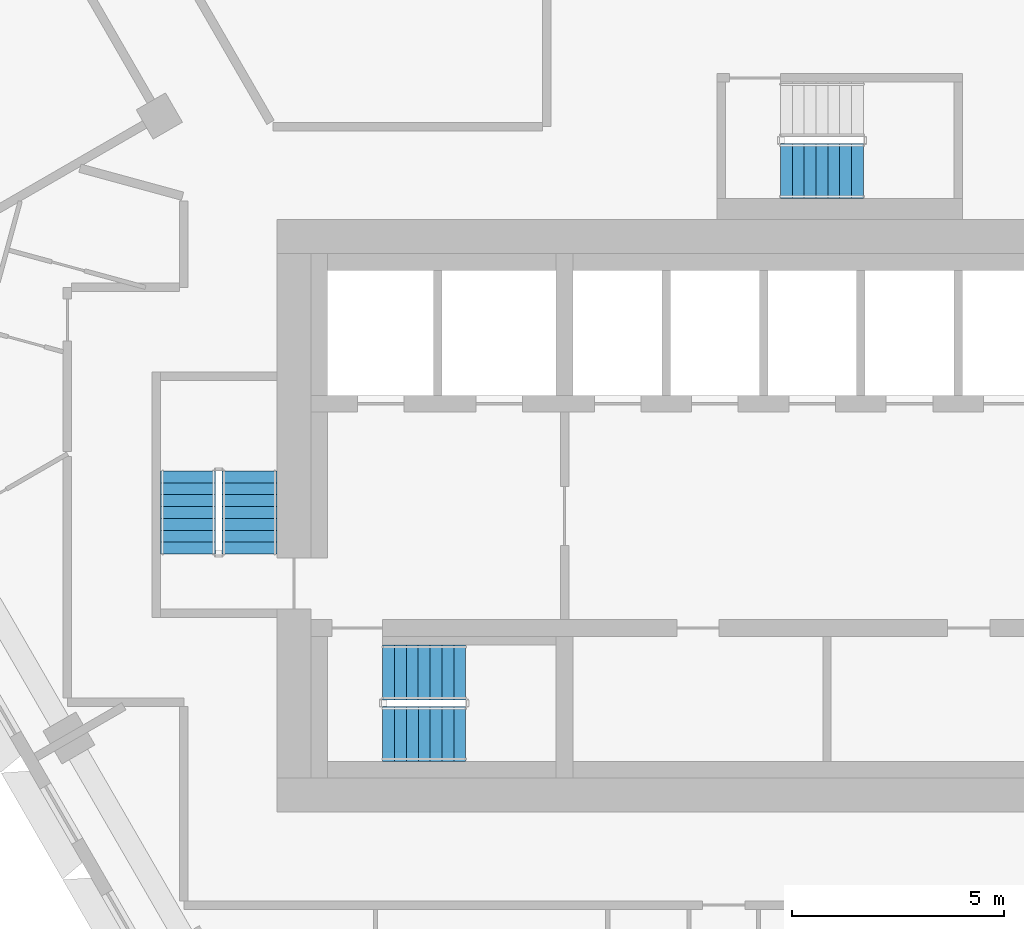
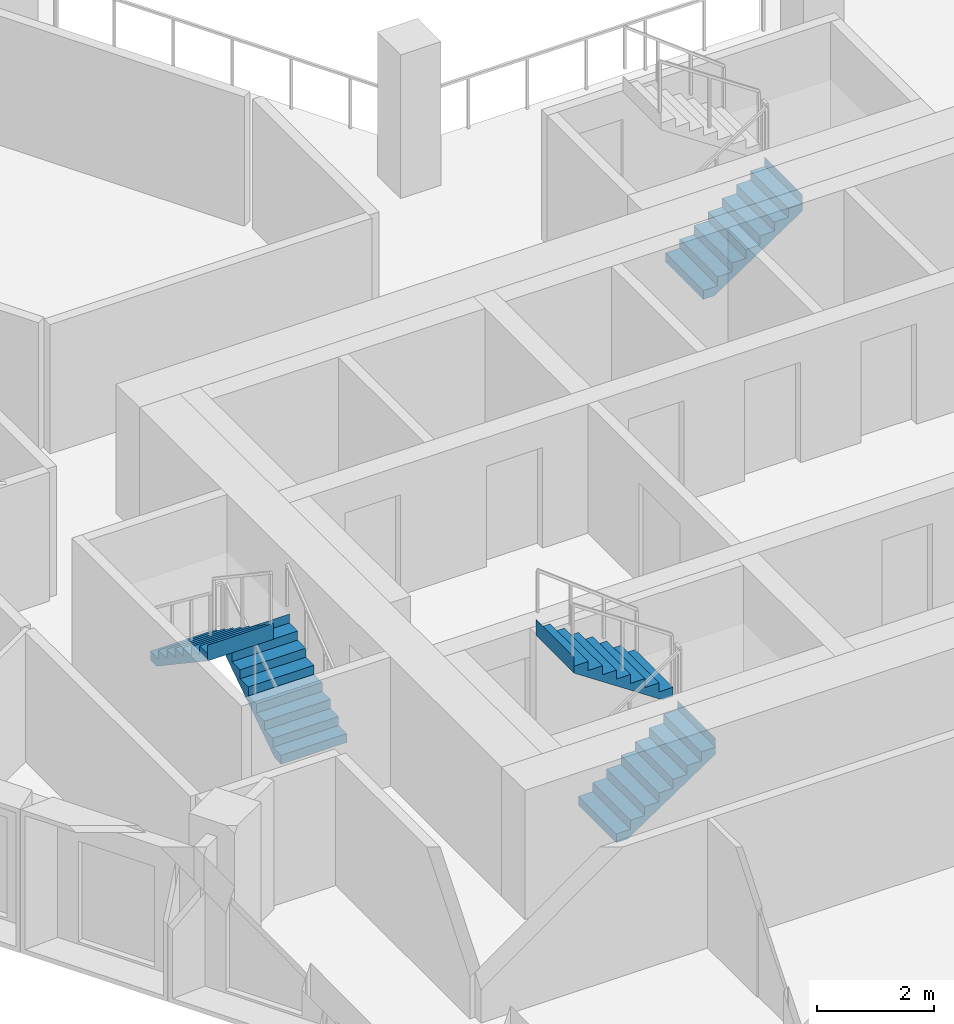
# One storey, part 12 of 17: 5 stair flights, 3 elements without a shape of their own.
"""IFC4 building model written with IfcOpenShell, lengths in metres."""

from ifc_helpers import new_model, si_unit, direction, frame, origin, place, context, subcontext, project, spatial, triangles, material, type_object, element, aggregate, save


model = new_model("IFC4")

# Units and contexts
model_context = context("Model", 3, precision=1e-05, world=origin(), true_north=direction((0.0, 1.0)))
body_context = subcontext(model_context, "Body", "Model", "MODEL_VIEW")
ifc_project = project(units=[si_unit("LENGTHUNIT", "METRE"), si_unit("AREAUNIT", "SQUARE_METRE"), si_unit("VOLUMEUNIT", "CUBIC_METRE"), si_unit("PLANEANGLEUNIT", "RADIAN"), si_unit("MASSUNIT", "GRAM", prefix="KILO")], contexts=[model_context])

# Site, building, storey
site_placement = place(None, origin())
site = spatial("IfcSite", under=ifc_project, at=site_placement, CompositionType="ELEMENT")
building_placement = place(site_placement, origin())
building = spatial("IfcBuilding", under=site, at=building_placement, Name="Beryl Residences", CompositionType="ELEMENT")
storey_placement = place(building_placement, frame((0.0, 0.0, 120.60009765625)))
storey = spatial("IfcBuildingStorey", under=building, at=storey_placement, Name="L36", CompositionType="ELEMENT", Elevation=120.60009765625)

# Stair, stair flights
ifc_material_1 = material(Name="Concrete C40/50", Category="concrete")
stair_type = type_object("IfcStairType", Name="ST1 protected exit stair, half-turn, 1300 mm flights", PredefinedType="HALF_TURN_STAIR", material=ifc_material_1)
stair_1_placement = place(storey_placement, origin())
stair_1 = element("IfcStair", 1, at=stair_1_placement, inside=storey, type_object=stair_type, Name="L36 PROTECTED EXIT STAIR ST-1", PredefinedType="HALF_TURN_STAIR")
ifc_material_2 = material(Name="Concrete C40/50", Category="concrete")
stair_flight_type = type_object("IfcStairFlightType", Name="SF1 stair flight 1300 mm", PredefinedType="STRAIGHT", material=ifc_material_2)
stair_flight_1_placement = place(storey_placement, frame((-10.800048828125, -17.14990234375, 0.0), z_axis=(0.0, 0.0, 1.0), x_axis=(1.0, 0.0, 0.0)))
stair_flight_1 = element("IfcStairFlight", 2, at=stair_flight_1_placement, type_object=stair_flight_type, Name="ST-1 flight 1", NumberOfRisers=8, NumberOfTreads=7, PredefinedType="STRAIGHT", RiserHeight=0.1875, TreadLength=0.28, context=body_context, shape_type="Tessellation", body=[
    triangles([(0.0, -0.64990234375, 0.0), (0.0, -0.324951171875, 0.0), (0.0, 0.0, 0.0), (0.0, 0.324951171875, 0.0), (0.0, 0.64990234375, 0.0), (0.0, -0.64990234375, 0.1875), (0.0, -0.324951171875, 0.1875), (0.0, 0.0, 0.1875), (0.0, 0.324951171875, 0.1875), (0.0, 0.64990234375, 0.1875), (0.280029296875, -0.64990234375, 0.1875), (0.280029296875, -0.324951171875, 0.1875), (0.280029296875, 0.0, 0.1875), (0.280029296875, 0.324951171875, 0.1875), (0.280029296875, 0.64990234375, 0.1875), (0.280029296875, -0.64990234375, 0.375), (0.280029296875, -0.324951171875, 0.375), (0.280029296875, 0.0, 0.375), (0.280029296875, 0.324951171875, 0.375), (0.280029296875, 0.64990234375, 0.375), (0.56005859375, -0.64990234375, 0.375), (0.56005859375, -0.324951171875, 0.375), (0.56005859375, 0.0, 0.375), (0.56005859375, 0.324951171875, 0.375), (0.56005859375, 0.64990234375, 0.375), (0.56005859375, -0.64990234375, 0.5625), (0.56005859375, -0.324951171875, 0.5625), (0.56005859375, 0.0, 0.5625), (0.56005859375, 0.324951171875, 0.5625), (0.56005859375, 0.64990234375, 0.5625), (0.840087890625, -0.64990234375, 0.5625), (0.840087890625, -0.324951171875, 0.5625), (0.840087890625, 0.0, 0.5625), (0.840087890625, 0.324951171875, 0.5625), (0.840087890625, 0.64990234375, 0.5625), (0.840087890625, -0.64990234375, 0.75), (0.840087890625, -0.324951171875, 0.75), (0.840087890625, 0.0, 0.75), (0.840087890625, 0.324951171875, 0.75), (0.840087890625, 0.64990234375, 0.75), (1.1201171875, -0.64990234375, 0.75), (1.1201171875, -0.324951171875, 0.75), (1.1201171875, 0.0, 0.75), (1.1201171875, 0.324951171875, 0.75), (1.1201171875, 0.64990234375, 0.75), (1.1201171875, -0.64990234375, 0.9375), (1.1201171875, -0.324951171875, 0.9375), (1.1201171875, 0.0, 0.9375), (1.1201171875, 0.324951171875, 0.9375), (1.1201171875, 0.64990234375, 0.9375), (1.39990234375, -0.64990234375, 0.9375), (1.39990234375, -0.324951171875, 0.9375), (1.39990234375, 0.0, 0.9375), (1.39990234375, 0.324951171875, 0.9375), (1.39990234375, 0.64990234375, 0.9375), (1.39990234375, -0.64990234375, 1.125), (1.39990234375, -0.324951171875, 1.125), (1.39990234375, 0.0, 1.125), (1.39990234375, 0.324951171875, 1.125), (1.39990234375, 0.64990234375, 1.125), (1.679931640625, -0.64990234375, 1.125), (1.679931640625, -0.324951171875, 1.125), (1.679931640625, 0.0, 1.125), (1.679931640625, 0.324951171875, 1.125), (1.679931640625, 0.64990234375, 1.125), (1.679931640625, -0.64990234375, 1.3125), (1.679931640625, -0.324951171875, 1.3125), (1.679931640625, 0.0, 1.3125), (1.679931640625, 0.324951171875, 1.3125), (1.679931640625, 0.64990234375, 1.3125), (1.9599609375, -0.64990234375, 1.3125), (1.9599609375, -0.324951171875, 1.3125), (1.9599609375, 0.0, 1.3125), (1.9599609375, 0.324951171875, 1.3125), (1.9599609375, 0.64990234375, 1.3125), (1.9599609375, -0.64990234375, 1.5), (1.9599609375, -0.324951171875, 1.5), (1.9599609375, 0.0, 1.5), (1.9599609375, 0.324951171875, 1.5), (1.9599609375, 0.64990234375, 1.5), (1.9609375, -0.64990234375, 1.5), (1.9609375, -0.324951171875, 1.5), (1.9609375, 0.0, 1.5), (1.9609375, 0.324951171875, 1.5), (1.9609375, 0.64990234375, 1.5), (1.9609375, -0.64990234375, 1.16796875), (1.9609375, -0.324951171875, 1.16796875), (1.9609375, 0.0, 1.16796875), (1.9609375, 0.324951171875, 1.16796875), (1.9609375, 0.64990234375, 1.16796875), (0.216796875, -0.64990234375, 0.0), (0.216796875, -0.324951171875, 0.0), (0.216796875, 0.0, 0.0), (0.216796875, 0.324951171875, 0.0), (0.216796875, 0.64990234375, 0.0)], [[1, 6, 7], [1, 7, 2], [2, 7, 8], [2, 8, 3], [3, 8, 9], [3, 9, 4], [4, 9, 10], [4, 10, 5], [6, 11, 12], [6, 12, 7], [7, 12, 13], [7, 13, 8], [8, 13, 14], [8, 14, 9], [9, 14, 15], [9, 15, 10], [11, 16, 17], [11, 17, 12], [12, 17, 18], [12, 18, 13], [13, 18, 19], [13, 19, 14], [14, 19, 20], [14, 20, 15], [16, 21, 22], [16, 22, 17], [17, 22, 23], [17, 23, 18], [18, 23, 24], [18, 24, 19], [19, 24, 25], [19, 25, 20], [21, 26, 27], [21, 27, 22], [22, 27, 28], [22, 28, 23], [23, 28, 29], [23, 29, 24], [24, 29, 30], [24, 30, 25], [26, 31, 32], [26, 32, 27], [27, 32, 33], [27, 33, 28], [28, 33, 34], [28, 34, 29], [29, 34, 35], [29, 35, 30], [31, 36, 37], [31, 37, 32], [32, 37, 38], [32, 38, 33], [33, 38, 39], [33, 39, 34], [34, 39, 40], [34, 40, 35], [36, 41, 42], [36, 42, 37], [37, 42, 43], [37, 43, 38], [38, 43, 44], [38, 44, 39], [39, 44, 45], [39, 45, 40], [41, 46, 47], [41, 47, 42], [42, 47, 48], [42, 48, 43], [43, 48, 49], [43, 49, 44], [44, 49, 50], [44, 50, 45], [46, 51, 52], [46, 52, 47], [47, 52, 53], [47, 53, 48], [48, 53, 54], [48, 54, 49], [49, 54, 55], [49, 55, 50], [51, 56, 57], [51, 57, 52], [52, 57, 58], [52, 58, 53], [53, 58, 59], [53, 59, 54], [54, 59, 60], [54, 60, 55], [56, 61, 62], [56, 62, 57], [57, 62, 63], [57, 63, 58], [58, 63, 64], [58, 64, 59], [59, 64, 65], [59, 65, 60], [61, 66, 67], [61, 67, 62], [62, 67, 68], [62, 68, 63], [63, 68, 69], [63, 69, 64], [64, 69, 70], [64, 70, 65], [66, 71, 72], [66, 72, 67], [67, 72, 73], [67, 73, 68], [68, 73, 74], [68, 74, 69], [69, 74, 75], [69, 75, 70], [71, 76, 77], [71, 77, 72], [72, 77, 78], [72, 78, 73], [73, 78, 79], [73, 79, 74], [74, 79, 80], [74, 80, 75], [76, 81, 82], [76, 82, 77], [77, 82, 83], [77, 83, 78], [78, 83, 84], [78, 84, 79], [79, 84, 85], [79, 85, 80], [81, 86, 87], [81, 87, 82], [82, 87, 88], [82, 88, 83], [83, 88, 89], [83, 89, 84], [84, 89, 90], [84, 90, 85], [86, 91, 92], [86, 92, 87], [87, 92, 93], [87, 93, 88], [88, 93, 94], [88, 94, 89], [89, 94, 95], [89, 95, 90], [91, 1, 2], [91, 2, 92], [92, 2, 3], [92, 3, 93], [93, 3, 4], [93, 4, 94], [94, 4, 5], [94, 5, 95], [1, 91, 86], [5, 90, 95], [86, 81, 76], [90, 80, 85], [86, 76, 71], [90, 75, 80], [86, 71, 66], [90, 70, 75], [86, 66, 61], [90, 65, 70], [61, 56, 51], [65, 55, 60], [86, 61, 51], [90, 55, 65], [51, 46, 41], [55, 45, 50], [86, 51, 41], [90, 45, 55], [41, 36, 31], [45, 35, 40], [86, 41, 31], [90, 35, 45], [31, 26, 21], [35, 25, 30], [86, 31, 21], [90, 25, 35], [21, 16, 11], [25, 15, 20], [86, 21, 11], [90, 15, 25], [1, 86, 11], [5, 15, 90], [11, 6, 1], [15, 5, 10]], closed=True),
])
stair_flight_2_placement = place(storey_placement, frame((-8.840087890625, -15.699951171875, 1.5), z_axis=(0.0, 0.0, 1.0), x_axis=(-1.0, 0.0, 0.0)))
stair_flight_2 = element("IfcStairFlight", 3, at=stair_flight_2_placement, type_object=stair_flight_type, Name="ST-1 flight 2", NumberOfRisers=8, NumberOfTreads=7, PredefinedType="STRAIGHT", RiserHeight=0.1875, TreadLength=0.28, context=body_context, shape_type="Tessellation", body=[
    triangles([(0.0, -0.64990234375, 0.0), (0.0, -0.324951171875, 0.0), (0.0, 0.0, 0.0), (0.0, 0.324951171875, 0.0), (0.0, 0.64990234375, 0.0), (0.0, -0.64990234375, 0.1875), (0.0, -0.324951171875, 0.1875), (0.0, 0.0, 0.1875), (0.0, 0.324951171875, 0.1875), (0.0, 0.64990234375, 0.1875), (0.280029296875, -0.64990234375, 0.1875), (0.280029296875, -0.324951171875, 0.1875), (0.280029296875, 0.0, 0.1875), (0.280029296875, 0.324951171875, 0.1875), (0.280029296875, 0.64990234375, 0.1875), (0.280029296875, -0.64990234375, 0.375), (0.280029296875, -0.324951171875, 0.375), (0.280029296875, 0.0, 0.375), (0.280029296875, 0.324951171875, 0.375), (0.280029296875, 0.64990234375, 0.375), (0.56005859375, -0.64990234375, 0.375), (0.56005859375, -0.324951171875, 0.375), (0.56005859375, 0.0, 0.375), (0.56005859375, 0.324951171875, 0.375), (0.56005859375, 0.64990234375, 0.375), (0.56005859375, -0.64990234375, 0.5625), (0.56005859375, -0.324951171875, 0.5625), (0.56005859375, 0.0, 0.5625), (0.56005859375, 0.324951171875, 0.5625), (0.56005859375, 0.64990234375, 0.5625), (0.840087890625, -0.64990234375, 0.5625), (0.840087890625, -0.324951171875, 0.5625), (0.840087890625, 0.0, 0.5625), (0.840087890625, 0.324951171875, 0.5625), (0.840087890625, 0.64990234375, 0.5625), (0.840087890625, -0.64990234375, 0.75), (0.840087890625, -0.324951171875, 0.75), (0.840087890625, 0.0, 0.75), (0.840087890625, 0.324951171875, 0.75), (0.840087890625, 0.64990234375, 0.75), (1.1201171875, -0.64990234375, 0.75), (1.1201171875, -0.324951171875, 0.75), (1.1201171875, 0.0, 0.75), (1.1201171875, 0.324951171875, 0.75), (1.1201171875, 0.64990234375, 0.75), (1.1201171875, -0.64990234375, 0.9375), (1.1201171875, -0.324951171875, 0.9375), (1.1201171875, 0.0, 0.9375), (1.1201171875, 0.324951171875, 0.9375), (1.1201171875, 0.64990234375, 0.9375), (1.39990234375, -0.64990234375, 0.9375), (1.39990234375, -0.324951171875, 0.9375), (1.39990234375, 0.0, 0.9375), (1.39990234375, 0.324951171875, 0.9375), (1.39990234375, 0.64990234375, 0.9375), (1.39990234375, -0.64990234375, 1.125), (1.39990234375, -0.324951171875, 1.125), (1.39990234375, 0.0, 1.125), (1.39990234375, 0.324951171875, 1.125), (1.39990234375, 0.64990234375, 1.125), (1.679931640625, -0.64990234375, 1.125), (1.679931640625, -0.324951171875, 1.125), (1.679931640625, 0.0, 1.125), (1.679931640625, 0.324951171875, 1.125), (1.679931640625, 0.64990234375, 1.125), (1.679931640625, -0.64990234375, 1.3125), (1.679931640625, -0.324951171875, 1.3125), (1.679931640625, 0.0, 1.3125), (1.679931640625, 0.324951171875, 1.3125), (1.679931640625, 0.64990234375, 1.3125), (1.9599609375, -0.64990234375, 1.3125), (1.9599609375, -0.324951171875, 1.3125), (1.9599609375, 0.0, 1.3125), (1.9599609375, 0.324951171875, 1.3125), (1.9599609375, 0.64990234375, 1.3125), (1.9599609375, -0.64990234375, 1.5), (1.9599609375, -0.324951171875, 1.5), (1.9599609375, 0.0, 1.5), (1.9599609375, 0.324951171875, 1.5), (1.9599609375, 0.64990234375, 1.5), (1.9609375, -0.64990234375, 1.5), (1.9609375, -0.324951171875, 1.5), (1.9609375, 0.0, 1.5), (1.9609375, 0.324951171875, 1.5), (1.9609375, 0.64990234375, 1.5), (1.9609375, -0.64990234375, 1.16796875), (1.9609375, -0.324951171875, 1.16796875), (1.9609375, 0.0, 1.16796875), (1.9609375, 0.324951171875, 1.16796875), (1.9609375, 0.64990234375, 1.16796875), (0.216796875, -0.64990234375, 0.0), (0.216796875, -0.324951171875, 0.0), (0.216796875, 0.0, 0.0), (0.216796875, 0.324951171875, 0.0), (0.216796875, 0.64990234375, 0.0)], [[1, 6, 7], [1, 7, 2], [2, 7, 8], [2, 8, 3], [3, 8, 9], [3, 9, 4], [4, 9, 10], [4, 10, 5], [6, 11, 12], [6, 12, 7], [7, 12, 13], [7, 13, 8], [8, 13, 14], [8, 14, 9], [9, 14, 15], [9, 15, 10], [11, 16, 17], [11, 17, 12], [12, 17, 18], [12, 18, 13], [13, 18, 19], [13, 19, 14], [14, 19, 20], [14, 20, 15], [16, 21, 22], [16, 22, 17], [17, 22, 23], [17, 23, 18], [18, 23, 24], [18, 24, 19], [19, 24, 25], [19, 25, 20], [21, 26, 27], [21, 27, 22], [22, 27, 28], [22, 28, 23], [23, 28, 29], [23, 29, 24], [24, 29, 30], [24, 30, 25], [26, 31, 32], [26, 32, 27], [27, 32, 33], [27, 33, 28], [28, 33, 34], [28, 34, 29], [29, 34, 35], [29, 35, 30], [31, 36, 37], [31, 37, 32], [32, 37, 38], [32, 38, 33], [33, 38, 39], [33, 39, 34], [34, 39, 40], [34, 40, 35], [36, 41, 42], [36, 42, 37], [37, 42, 43], [37, 43, 38], [38, 43, 44], [38, 44, 39], [39, 44, 45], [39, 45, 40], [41, 46, 47], [41, 47, 42], [42, 47, 48], [42, 48, 43], [43, 48, 49], [43, 49, 44], [44, 49, 50], [44, 50, 45], [46, 51, 52], [46, 52, 47], [47, 52, 53], [47, 53, 48], [48, 53, 54], [48, 54, 49], [49, 54, 55], [49, 55, 50], [51, 56, 57], [51, 57, 52], [52, 57, 58], [52, 58, 53], [53, 58, 59], [53, 59, 54], [54, 59, 60], [54, 60, 55], [56, 61, 62], [56, 62, 57], [57, 62, 63], [57, 63, 58], [58, 63, 64], [58, 64, 59], [59, 64, 65], [59, 65, 60], [61, 66, 67], [61, 67, 62], [62, 67, 68], [62, 68, 63], [63, 68, 69], [63, 69, 64], [64, 69, 70], [64, 70, 65], [66, 71, 72], [66, 72, 67], [67, 72, 73], [67, 73, 68], [68, 73, 74], [68, 74, 69], [69, 74, 75], [69, 75, 70], [71, 76, 77], [71, 77, 72], [72, 77, 78], [72, 78, 73], [73, 78, 79], [73, 79, 74], [74, 79, 80], [74, 80, 75], [76, 81, 82], [76, 82, 77], [77, 82, 83], [77, 83, 78], [78, 83, 84], [78, 84, 79], [79, 84, 85], [79, 85, 80], [81, 86, 87], [81, 87, 82], [82, 87, 88], [82, 88, 83], [83, 88, 89], [83, 89, 84], [84, 89, 90], [84, 90, 85], [86, 91, 92], [86, 92, 87], [87, 92, 93], [87, 93, 88], [88, 93, 94], [88, 94, 89], [89, 94, 95], [89, 95, 90], [91, 1, 2], [91, 2, 92], [92, 2, 3], [92, 3, 93], [93, 3, 4], [93, 4, 94], [94, 4, 5], [94, 5, 95], [1, 91, 86], [5, 90, 95], [86, 81, 76], [90, 80, 85], [86, 76, 71], [90, 75, 80], [86, 71, 66], [90, 70, 75], [86, 66, 61], [90, 65, 70], [61, 56, 51], [65, 55, 60], [86, 61, 51], [90, 55, 65], [51, 46, 41], [55, 45, 50], [86, 51, 41], [90, 45, 55], [41, 36, 31], [45, 35, 40], [86, 41, 31], [90, 35, 45], [31, 26, 21], [35, 25, 30], [86, 31, 21], [90, 25, 35], [21, 16, 11], [25, 15, 20], [86, 21, 11], [90, 15, 25], [1, 86, 11], [5, 15, 90], [11, 6, 1], [15, 5, 10]], closed=True),
])
aggregate(stair_1, [stair_flight_1, stair_flight_2])

stair_2_placement = place(storey_placement, origin())
stair_2 = element("IfcStair", 4, at=stair_2_placement, inside=storey, type_object=stair_type, Name="L36 PROTECTED EXIT STAIR ST-2", PredefinedType="HALF_TURN_STAIR")
stair_flight_3_placement = place(storey_placement, frame((-13.949951171875, -12.89990234375, 0.0), z_axis=(0.0, 0.0, 1.0), x_axis=(0.0, 1.0, 0.0)))
stair_flight_3 = element("IfcStairFlight", 5, at=stair_flight_3_placement, type_object=stair_flight_type, Name="ST-2 flight 1", NumberOfRisers=8, NumberOfTreads=7, PredefinedType="STRAIGHT", RiserHeight=0.1875, TreadLength=0.28, context=body_context, shape_type="Tessellation", body=[
    triangles([(0.0, -0.64990234375, 0.0), (0.0, -0.324951171875, 0.0), (0.0, 0.0, 0.0), (0.0, 0.324951171875, 0.0), (0.0, 0.64990234375, 0.0), (0.0, -0.64990234375, 0.1875), (0.0, -0.324951171875, 0.1875), (0.0, 0.0, 0.1875), (0.0, 0.324951171875, 0.1875), (0.0, 0.64990234375, 0.1875), (0.280029296875, -0.64990234375, 0.1875), (0.280029296875, -0.324951171875, 0.1875), (0.280029296875, 0.0, 0.1875), (0.280029296875, 0.324951171875, 0.1875), (0.280029296875, 0.64990234375, 0.1875), (0.280029296875, -0.64990234375, 0.375), (0.280029296875, -0.324951171875, 0.375), (0.280029296875, 0.0, 0.375), (0.280029296875, 0.324951171875, 0.375), (0.280029296875, 0.64990234375, 0.375), (0.56005859375, -0.64990234375, 0.375), (0.56005859375, -0.324951171875, 0.375), (0.56005859375, 0.0, 0.375), (0.56005859375, 0.324951171875, 0.375), (0.56005859375, 0.64990234375, 0.375), (0.56005859375, -0.64990234375, 0.5625), (0.56005859375, -0.324951171875, 0.5625), (0.56005859375, 0.0, 0.5625), (0.56005859375, 0.324951171875, 0.5625), (0.56005859375, 0.64990234375, 0.5625), (0.840087890625, -0.64990234375, 0.5625), (0.840087890625, -0.324951171875, 0.5625), (0.840087890625, 0.0, 0.5625), (0.840087890625, 0.324951171875, 0.5625), (0.840087890625, 0.64990234375, 0.5625), (0.840087890625, -0.64990234375, 0.75), (0.840087890625, -0.324951171875, 0.75), (0.840087890625, 0.0, 0.75), (0.840087890625, 0.324951171875, 0.75), (0.840087890625, 0.64990234375, 0.75), (1.1201171875, -0.64990234375, 0.75), (1.1201171875, -0.324951171875, 0.75), (1.1201171875, 0.0, 0.75), (1.1201171875, 0.324951171875, 0.75), (1.1201171875, 0.64990234375, 0.75), (1.1201171875, -0.64990234375, 0.9375), (1.1201171875, -0.324951171875, 0.9375), (1.1201171875, 0.0, 0.9375), (1.1201171875, 0.324951171875, 0.9375), (1.1201171875, 0.64990234375, 0.9375), (1.39990234375, -0.64990234375, 0.9375), (1.39990234375, -0.324951171875, 0.9375), (1.39990234375, 0.0, 0.9375), (1.39990234375, 0.324951171875, 0.9375), (1.39990234375, 0.64990234375, 0.9375), (1.39990234375, -0.64990234375, 1.125), (1.39990234375, -0.324951171875, 1.125), (1.39990234375, 0.0, 1.125), (1.39990234375, 0.324951171875, 1.125), (1.39990234375, 0.64990234375, 1.125), (1.679931640625, -0.64990234375, 1.125), (1.679931640625, -0.324951171875, 1.125), (1.679931640625, 0.0, 1.125), (1.679931640625, 0.324951171875, 1.125), (1.679931640625, 0.64990234375, 1.125), (1.679931640625, -0.64990234375, 1.3125), (1.679931640625, -0.324951171875, 1.3125), (1.679931640625, 0.0, 1.3125), (1.679931640625, 0.324951171875, 1.3125), (1.679931640625, 0.64990234375, 1.3125), (1.9599609375, -0.64990234375, 1.3125), (1.9599609375, -0.324951171875, 1.3125), (1.9599609375, 0.0, 1.3125), (1.9599609375, 0.324951171875, 1.3125), (1.9599609375, 0.64990234375, 1.3125), (1.9599609375, -0.64990234375, 1.5), (1.9599609375, -0.324951171875, 1.5), (1.9599609375, 0.0, 1.5), (1.9599609375, 0.324951171875, 1.5), (1.9599609375, 0.64990234375, 1.5), (1.9609375, -0.64990234375, 1.5), (1.9609375, -0.324951171875, 1.5), (1.9609375, 0.0, 1.5), (1.9609375, 0.324951171875, 1.5), (1.9609375, 0.64990234375, 1.5), (1.9609375, -0.64990234375, 1.16796875), (1.9609375, -0.324951171875, 1.16796875), (1.9609375, 0.0, 1.16796875), (1.9609375, 0.324951171875, 1.16796875), (1.9609375, 0.64990234375, 1.16796875), (0.216796875, -0.64990234375, 0.0), (0.216796875, -0.324951171875, 0.0), (0.216796875, 0.0, 0.0), (0.216796875, 0.324951171875, 0.0), (0.216796875, 0.64990234375, 0.0)], [[1, 6, 7], [1, 7, 2], [2, 7, 8], [2, 8, 3], [3, 8, 9], [3, 9, 4], [4, 9, 10], [4, 10, 5], [6, 11, 12], [6, 12, 7], [7, 12, 13], [7, 13, 8], [8, 13, 14], [8, 14, 9], [9, 14, 15], [9, 15, 10], [11, 16, 17], [11, 17, 12], [12, 17, 18], [12, 18, 13], [13, 18, 19], [13, 19, 14], [14, 19, 20], [14, 20, 15], [16, 21, 22], [16, 22, 17], [17, 22, 23], [17, 23, 18], [18, 23, 24], [18, 24, 19], [19, 24, 25], [19, 25, 20], [21, 26, 27], [21, 27, 22], [22, 27, 28], [22, 28, 23], [23, 28, 29], [23, 29, 24], [24, 29, 30], [24, 30, 25], [26, 31, 32], [26, 32, 27], [27, 32, 33], [27, 33, 28], [28, 33, 34], [28, 34, 29], [29, 34, 35], [29, 35, 30], [31, 36, 37], [31, 37, 32], [32, 37, 38], [32, 38, 33], [33, 38, 39], [33, 39, 34], [34, 39, 40], [34, 40, 35], [36, 41, 42], [36, 42, 37], [37, 42, 43], [37, 43, 38], [38, 43, 44], [38, 44, 39], [39, 44, 45], [39, 45, 40], [41, 46, 47], [41, 47, 42], [42, 47, 48], [42, 48, 43], [43, 48, 49], [43, 49, 44], [44, 49, 50], [44, 50, 45], [46, 51, 52], [46, 52, 47], [47, 52, 53], [47, 53, 48], [48, 53, 54], [48, 54, 49], [49, 54, 55], [49, 55, 50], [51, 56, 57], [51, 57, 52], [52, 57, 58], [52, 58, 53], [53, 58, 59], [53, 59, 54], [54, 59, 60], [54, 60, 55], [56, 61, 62], [56, 62, 57], [57, 62, 63], [57, 63, 58], [58, 63, 64], [58, 64, 59], [59, 64, 65], [59, 65, 60], [61, 66, 67], [61, 67, 62], [62, 67, 68], [62, 68, 63], [63, 68, 69], [63, 69, 64], [64, 69, 70], [64, 70, 65], [66, 71, 72], [66, 72, 67], [67, 72, 73], [67, 73, 68], [68, 73, 74], [68, 74, 69], [69, 74, 75], [69, 75, 70], [71, 76, 77], [71, 77, 72], [72, 77, 78], [72, 78, 73], [73, 78, 79], [73, 79, 74], [74, 79, 80], [74, 80, 75], [76, 81, 82], [76, 82, 77], [77, 82, 83], [77, 83, 78], [78, 83, 84], [78, 84, 79], [79, 84, 85], [79, 85, 80], [81, 86, 87], [81, 87, 82], [82, 87, 88], [82, 88, 83], [83, 88, 89], [83, 89, 84], [84, 89, 90], [84, 90, 85], [86, 91, 92], [86, 92, 87], [87, 92, 93], [87, 93, 88], [88, 93, 94], [88, 94, 89], [89, 94, 95], [89, 95, 90], [91, 1, 2], [91, 2, 92], [92, 2, 3], [92, 3, 93], [93, 3, 4], [93, 4, 94], [94, 4, 5], [94, 5, 95], [1, 91, 86], [5, 90, 95], [86, 81, 76], [90, 80, 85], [86, 76, 71], [90, 75, 80], [86, 71, 66], [90, 70, 75], [86, 66, 61], [90, 65, 70], [61, 56, 51], [65, 55, 60], [86, 61, 51], [90, 55, 65], [51, 46, 41], [55, 45, 50], [86, 51, 41], [90, 45, 55], [41, 36, 31], [45, 35, 40], [86, 41, 31], [90, 35, 45], [31, 26, 21], [35, 25, 30], [86, 31, 21], [90, 25, 35], [21, 16, 11], [25, 15, 20], [86, 21, 11], [90, 15, 25], [1, 86, 11], [5, 15, 90], [11, 6, 1], [15, 5, 10]], closed=True),
])
stair_flight_4_placement = place(storey_placement, frame((-15.39990234375, -10.93994140625, 1.5), z_axis=(0.0, 0.0, 1.0), x_axis=(0.0, -1.0, 0.0)))
stair_flight_4 = element("IfcStairFlight", 6, at=stair_flight_4_placement, type_object=stair_flight_type, Name="ST-2 flight 2", NumberOfRisers=8, NumberOfTreads=7, PredefinedType="STRAIGHT", RiserHeight=0.1875, TreadLength=0.28, context=body_context, shape_type="Tessellation", body=[
    triangles([(0.0, -0.64990234375, 0.0), (0.0, -0.324951171875, 0.0), (0.0, 0.0, 0.0), (0.0, 0.324951171875, 0.0), (0.0, 0.64990234375, 0.0), (0.0, -0.64990234375, 0.1875), (0.0, -0.324951171875, 0.1875), (0.0, 0.0, 0.1875), (0.0, 0.324951171875, 0.1875), (0.0, 0.64990234375, 0.1875), (0.280029296875, -0.64990234375, 0.1875), (0.280029296875, -0.324951171875, 0.1875), (0.280029296875, 0.0, 0.1875), (0.280029296875, 0.324951171875, 0.1875), (0.280029296875, 0.64990234375, 0.1875), (0.280029296875, -0.64990234375, 0.375), (0.280029296875, -0.324951171875, 0.375), (0.280029296875, 0.0, 0.375), (0.280029296875, 0.324951171875, 0.375), (0.280029296875, 0.64990234375, 0.375), (0.56005859375, -0.64990234375, 0.375), (0.56005859375, -0.324951171875, 0.375), (0.56005859375, 0.0, 0.375), (0.56005859375, 0.324951171875, 0.375), (0.56005859375, 0.64990234375, 0.375), (0.56005859375, -0.64990234375, 0.5625), (0.56005859375, -0.324951171875, 0.5625), (0.56005859375, 0.0, 0.5625), (0.56005859375, 0.324951171875, 0.5625), (0.56005859375, 0.64990234375, 0.5625), (0.840087890625, -0.64990234375, 0.5625), (0.840087890625, -0.324951171875, 0.5625), (0.840087890625, 0.0, 0.5625), (0.840087890625, 0.324951171875, 0.5625), (0.840087890625, 0.64990234375, 0.5625), (0.840087890625, -0.64990234375, 0.75), (0.840087890625, -0.324951171875, 0.75), (0.840087890625, 0.0, 0.75), (0.840087890625, 0.324951171875, 0.75), (0.840087890625, 0.64990234375, 0.75), (1.1201171875, -0.64990234375, 0.75), (1.1201171875, -0.324951171875, 0.75), (1.1201171875, 0.0, 0.75), (1.1201171875, 0.324951171875, 0.75), (1.1201171875, 0.64990234375, 0.75), (1.1201171875, -0.64990234375, 0.9375), (1.1201171875, -0.324951171875, 0.9375), (1.1201171875, 0.0, 0.9375), (1.1201171875, 0.324951171875, 0.9375), (1.1201171875, 0.64990234375, 0.9375), (1.39990234375, -0.64990234375, 0.9375), (1.39990234375, -0.324951171875, 0.9375), (1.39990234375, 0.0, 0.9375), (1.39990234375, 0.324951171875, 0.9375), (1.39990234375, 0.64990234375, 0.9375), (1.39990234375, -0.64990234375, 1.125), (1.39990234375, -0.324951171875, 1.125), (1.39990234375, 0.0, 1.125), (1.39990234375, 0.324951171875, 1.125), (1.39990234375, 0.64990234375, 1.125), (1.679931640625, -0.64990234375, 1.125), (1.679931640625, -0.324951171875, 1.125), (1.679931640625, 0.0, 1.125), (1.679931640625, 0.324951171875, 1.125), (1.679931640625, 0.64990234375, 1.125), (1.679931640625, -0.64990234375, 1.3125), (1.679931640625, -0.324951171875, 1.3125), (1.679931640625, 0.0, 1.3125), (1.679931640625, 0.324951171875, 1.3125), (1.679931640625, 0.64990234375, 1.3125), (1.9599609375, -0.64990234375, 1.3125), (1.9599609375, -0.324951171875, 1.3125), (1.9599609375, 0.0, 1.3125), (1.9599609375, 0.324951171875, 1.3125), (1.9599609375, 0.64990234375, 1.3125), (1.9599609375, -0.64990234375, 1.5), (1.9599609375, -0.324951171875, 1.5), (1.9599609375, 0.0, 1.5), (1.9599609375, 0.324951171875, 1.5), (1.9599609375, 0.64990234375, 1.5), (1.9609375, -0.64990234375, 1.5), (1.9609375, -0.324951171875, 1.5), (1.9609375, 0.0, 1.5), (1.9609375, 0.324951171875, 1.5), (1.9609375, 0.64990234375, 1.5), (1.9609375, -0.64990234375, 1.16796875), (1.9609375, -0.324951171875, 1.16796875), (1.9609375, 0.0, 1.16796875), (1.9609375, 0.324951171875, 1.16796875), (1.9609375, 0.64990234375, 1.16796875), (0.216796875, -0.64990234375, 0.0), (0.216796875, -0.324951171875, 0.0), (0.216796875, 0.0, 0.0), (0.216796875, 0.324951171875, 0.0), (0.216796875, 0.64990234375, 0.0)], [[1, 6, 7], [1, 7, 2], [2, 7, 8], [2, 8, 3], [3, 8, 9], [3, 9, 4], [4, 9, 10], [4, 10, 5], [6, 11, 12], [6, 12, 7], [7, 12, 13], [7, 13, 8], [8, 13, 14], [8, 14, 9], [9, 14, 15], [9, 15, 10], [11, 16, 17], [11, 17, 12], [12, 17, 18], [12, 18, 13], [13, 18, 19], [13, 19, 14], [14, 19, 20], [14, 20, 15], [16, 21, 22], [16, 22, 17], [17, 22, 23], [17, 23, 18], [18, 23, 24], [18, 24, 19], [19, 24, 25], [19, 25, 20], [21, 26, 27], [21, 27, 22], [22, 27, 28], [22, 28, 23], [23, 28, 29], [23, 29, 24], [24, 29, 30], [24, 30, 25], [26, 31, 32], [26, 32, 27], [27, 32, 33], [27, 33, 28], [28, 33, 34], [28, 34, 29], [29, 34, 35], [29, 35, 30], [31, 36, 37], [31, 37, 32], [32, 37, 38], [32, 38, 33], [33, 38, 39], [33, 39, 34], [34, 39, 40], [34, 40, 35], [36, 41, 42], [36, 42, 37], [37, 42, 43], [37, 43, 38], [38, 43, 44], [38, 44, 39], [39, 44, 45], [39, 45, 40], [41, 46, 47], [41, 47, 42], [42, 47, 48], [42, 48, 43], [43, 48, 49], [43, 49, 44], [44, 49, 50], [44, 50, 45], [46, 51, 52], [46, 52, 47], [47, 52, 53], [47, 53, 48], [48, 53, 54], [48, 54, 49], [49, 54, 55], [49, 55, 50], [51, 56, 57], [51, 57, 52], [52, 57, 58], [52, 58, 53], [53, 58, 59], [53, 59, 54], [54, 59, 60], [54, 60, 55], [56, 61, 62], [56, 62, 57], [57, 62, 63], [57, 63, 58], [58, 63, 64], [58, 64, 59], [59, 64, 65], [59, 65, 60], [61, 66, 67], [61, 67, 62], [62, 67, 68], [62, 68, 63], [63, 68, 69], [63, 69, 64], [64, 69, 70], [64, 70, 65], [66, 71, 72], [66, 72, 67], [67, 72, 73], [67, 73, 68], [68, 73, 74], [68, 74, 69], [69, 74, 75], [69, 75, 70], [71, 76, 77], [71, 77, 72], [72, 77, 78], [72, 78, 73], [73, 78, 79], [73, 79, 74], [74, 79, 80], [74, 80, 75], [76, 81, 82], [76, 82, 77], [77, 82, 83], [77, 83, 78], [78, 83, 84], [78, 84, 79], [79, 84, 85], [79, 85, 80], [81, 86, 87], [81, 87, 82], [82, 87, 88], [82, 88, 83], [83, 88, 89], [83, 89, 84], [84, 89, 90], [84, 90, 85], [86, 91, 92], [86, 92, 87], [87, 92, 93], [87, 93, 88], [88, 93, 94], [88, 94, 89], [89, 94, 95], [89, 95, 90], [91, 1, 2], [91, 2, 92], [92, 2, 3], [92, 3, 93], [93, 3, 4], [93, 4, 94], [94, 4, 5], [94, 5, 95], [1, 91, 86], [5, 90, 95], [86, 81, 76], [90, 80, 85], [86, 76, 71], [90, 75, 80], [86, 71, 66], [90, 70, 75], [86, 66, 61], [90, 65, 70], [61, 56, 51], [65, 55, 60], [86, 61, 51], [90, 55, 65], [51, 46, 41], [55, 45, 50], [86, 51, 41], [90, 45, 55], [41, 36, 31], [45, 35, 40], [86, 41, 31], [90, 35, 45], [31, 26, 21], [35, 25, 30], [86, 31, 21], [90, 25, 35], [21, 16, 11], [25, 15, 20], [86, 21, 11], [90, 15, 25], [1, 86, 11], [5, 15, 90], [11, 6, 1], [15, 5, 10]], closed=True),
])
aggregate(stair_2, [stair_flight_3, stair_flight_4])

# Stair, stair flight
stair_3_placement = place(storey_placement, origin())
stair_3 = element("IfcStair", 7, at=stair_3_placement, inside=storey, type_object=stair_type, Name="L36 PROTECTED EXIT STAIR ST-4", PredefinedType="HALF_TURN_STAIR")
stair_flight_5_placement = place(storey_placement, frame((-1.39990234375, -3.85009765625, 0.0), z_axis=(0.0, 0.0, 1.0), x_axis=(1.0, 0.0, 0.0)))
stair_flight_5 = element("IfcStairFlight", 8, at=stair_flight_5_placement, type_object=stair_flight_type, Name="ST-4 flight 1", NumberOfRisers=8, NumberOfTreads=7, PredefinedType="STRAIGHT", RiserHeight=0.1875, TreadLength=0.28, context=body_context, shape_type="Tessellation", body=[
    triangles([(0.0, -0.64990234375, 0.0), (0.0, -0.324951171875, 0.0), (0.0, 0.0, 0.0), (0.0, 0.324951171875, 0.0), (0.0, 0.64990234375, 0.0), (0.0, -0.64990234375, 0.1875), (0.0, -0.324951171875, 0.1875), (0.0, 0.0, 0.1875), (0.0, 0.324951171875, 0.1875), (0.0, 0.64990234375, 0.1875), (0.280029296875, -0.64990234375, 0.1875), (0.280029296875, -0.324951171875, 0.1875), (0.280029296875, 0.0, 0.1875), (0.280029296875, 0.324951171875, 0.1875), (0.280029296875, 0.64990234375, 0.1875), (0.280029296875, -0.64990234375, 0.375), (0.280029296875, -0.324951171875, 0.375), (0.280029296875, 0.0, 0.375), (0.280029296875, 0.324951171875, 0.375), (0.280029296875, 0.64990234375, 0.375), (0.56005859375, -0.64990234375, 0.375), (0.56005859375, -0.324951171875, 0.375), (0.56005859375, 0.0, 0.375), (0.56005859375, 0.324951171875, 0.375), (0.56005859375, 0.64990234375, 0.375), (0.56005859375, -0.64990234375, 0.5625), (0.56005859375, -0.324951171875, 0.5625), (0.56005859375, 0.0, 0.5625), (0.56005859375, 0.324951171875, 0.5625), (0.56005859375, 0.64990234375, 0.5625), (0.840087890625, -0.64990234375, 0.5625), (0.840087890625, -0.324951171875, 0.5625), (0.840087890625, 0.0, 0.5625), (0.840087890625, 0.324951171875, 0.5625), (0.840087890625, 0.64990234375, 0.5625), (0.840087890625, -0.64990234375, 0.75), (0.840087890625, -0.324951171875, 0.75), (0.840087890625, 0.0, 0.75), (0.840087890625, 0.324951171875, 0.75), (0.840087890625, 0.64990234375, 0.75), (1.1201171875, -0.64990234375, 0.75), (1.1201171875, -0.324951171875, 0.75), (1.1201171875, 0.0, 0.75), (1.1201171875, 0.324951171875, 0.75), (1.1201171875, 0.64990234375, 0.75), (1.1201171875, -0.64990234375, 0.9375), (1.1201171875, -0.324951171875, 0.9375), (1.1201171875, 0.0, 0.9375), (1.1201171875, 0.324951171875, 0.9375), (1.1201171875, 0.64990234375, 0.9375), (1.39990234375, -0.64990234375, 0.9375), (1.39990234375, -0.324951171875, 0.9375), (1.39990234375, 0.0, 0.9375), (1.39990234375, 0.324951171875, 0.9375), (1.39990234375, 0.64990234375, 0.9375), (1.39990234375, -0.64990234375, 1.125), (1.39990234375, -0.324951171875, 1.125), (1.39990234375, 0.0, 1.125), (1.39990234375, 0.324951171875, 1.125), (1.39990234375, 0.64990234375, 1.125), (1.679931640625, -0.64990234375, 1.125), (1.679931640625, -0.324951171875, 1.125), (1.679931640625, 0.0, 1.125), (1.679931640625, 0.324951171875, 1.125), (1.679931640625, 0.64990234375, 1.125), (1.679931640625, -0.64990234375, 1.3125), (1.679931640625, -0.324951171875, 1.3125), (1.679931640625, 0.0, 1.3125), (1.679931640625, 0.324951171875, 1.3125), (1.679931640625, 0.64990234375, 1.3125), (1.9599609375, -0.64990234375, 1.3125), (1.9599609375, -0.324951171875, 1.3125), (1.9599609375, 0.0, 1.3125), (1.9599609375, 0.324951171875, 1.3125), (1.9599609375, 0.64990234375, 1.3125), (1.9599609375, -0.64990234375, 1.5), (1.9599609375, -0.324951171875, 1.5), (1.9599609375, 0.0, 1.5), (1.9599609375, 0.324951171875, 1.5), (1.9599609375, 0.64990234375, 1.5), (1.9609375, -0.64990234375, 1.5), (1.9609375, -0.324951171875, 1.5), (1.9609375, 0.0, 1.5), (1.9609375, 0.324951171875, 1.5), (1.9609375, 0.64990234375, 1.5), (1.9609375, -0.64990234375, 1.16796875), (1.9609375, -0.324951171875, 1.16796875), (1.9609375, 0.0, 1.16796875), (1.9609375, 0.324951171875, 1.16796875), (1.9609375, 0.64990234375, 1.16796875), (0.216796875, -0.64990234375, 0.0), (0.216796875, -0.324951171875, 0.0), (0.216796875, 0.0, 0.0), (0.216796875, 0.324951171875, 0.0), (0.216796875, 0.64990234375, 0.0)], [[1, 6, 7], [1, 7, 2], [2, 7, 8], [2, 8, 3], [3, 8, 9], [3, 9, 4], [4, 9, 10], [4, 10, 5], [6, 11, 12], [6, 12, 7], [7, 12, 13], [7, 13, 8], [8, 13, 14], [8, 14, 9], [9, 14, 15], [9, 15, 10], [11, 16, 17], [11, 17, 12], [12, 17, 18], [12, 18, 13], [13, 18, 19], [13, 19, 14], [14, 19, 20], [14, 20, 15], [16, 21, 22], [16, 22, 17], [17, 22, 23], [17, 23, 18], [18, 23, 24], [18, 24, 19], [19, 24, 25], [19, 25, 20], [21, 26, 27], [21, 27, 22], [22, 27, 28], [22, 28, 23], [23, 28, 29], [23, 29, 24], [24, 29, 30], [24, 30, 25], [26, 31, 32], [26, 32, 27], [27, 32, 33], [27, 33, 28], [28, 33, 34], [28, 34, 29], [29, 34, 35], [29, 35, 30], [31, 36, 37], [31, 37, 32], [32, 37, 38], [32, 38, 33], [33, 38, 39], [33, 39, 34], [34, 39, 40], [34, 40, 35], [36, 41, 42], [36, 42, 37], [37, 42, 43], [37, 43, 38], [38, 43, 44], [38, 44, 39], [39, 44, 45], [39, 45, 40], [41, 46, 47], [41, 47, 42], [42, 47, 48], [42, 48, 43], [43, 48, 49], [43, 49, 44], [44, 49, 50], [44, 50, 45], [46, 51, 52], [46, 52, 47], [47, 52, 53], [47, 53, 48], [48, 53, 54], [48, 54, 49], [49, 54, 55], [49, 55, 50], [51, 56, 57], [51, 57, 52], [52, 57, 58], [52, 58, 53], [53, 58, 59], [53, 59, 54], [54, 59, 60], [54, 60, 55], [56, 61, 62], [56, 62, 57], [57, 62, 63], [57, 63, 58], [58, 63, 64], [58, 64, 59], [59, 64, 65], [59, 65, 60], [61, 66, 67], [61, 67, 62], [62, 67, 68], [62, 68, 63], [63, 68, 69], [63, 69, 64], [64, 69, 70], [64, 70, 65], [66, 71, 72], [66, 72, 67], [67, 72, 73], [67, 73, 68], [68, 73, 74], [68, 74, 69], [69, 74, 75], [69, 75, 70], [71, 76, 77], [71, 77, 72], [72, 77, 78], [72, 78, 73], [73, 78, 79], [73, 79, 74], [74, 79, 80], [74, 80, 75], [76, 81, 82], [76, 82, 77], [77, 82, 83], [77, 83, 78], [78, 83, 84], [78, 84, 79], [79, 84, 85], [79, 85, 80], [81, 86, 87], [81, 87, 82], [82, 87, 88], [82, 88, 83], [83, 88, 89], [83, 89, 84], [84, 89, 90], [84, 90, 85], [86, 91, 92], [86, 92, 87], [87, 92, 93], [87, 93, 88], [88, 93, 94], [88, 94, 89], [89, 94, 95], [89, 95, 90], [91, 1, 2], [91, 2, 92], [92, 2, 3], [92, 3, 93], [93, 3, 4], [93, 4, 94], [94, 4, 5], [94, 5, 95], [1, 91, 86], [5, 90, 95], [86, 81, 76], [90, 80, 85], [86, 76, 71], [90, 75, 80], [86, 71, 66], [90, 70, 75], [86, 66, 61], [90, 65, 70], [61, 56, 51], [65, 55, 60], [86, 61, 51], [90, 55, 65], [51, 46, 41], [55, 45, 50], [86, 51, 41], [90, 45, 55], [41, 36, 31], [45, 35, 40], [86, 41, 31], [90, 35, 45], [31, 26, 21], [35, 25, 30], [86, 31, 21], [90, 25, 35], [21, 16, 11], [25, 15, 20], [86, 21, 11], [90, 15, 25], [1, 86, 11], [5, 15, 90], [11, 6, 1], [15, 5, 10]], closed=True),
])
aggregate(stair_3, [stair_flight_5])

save(model, "model.ifc")
